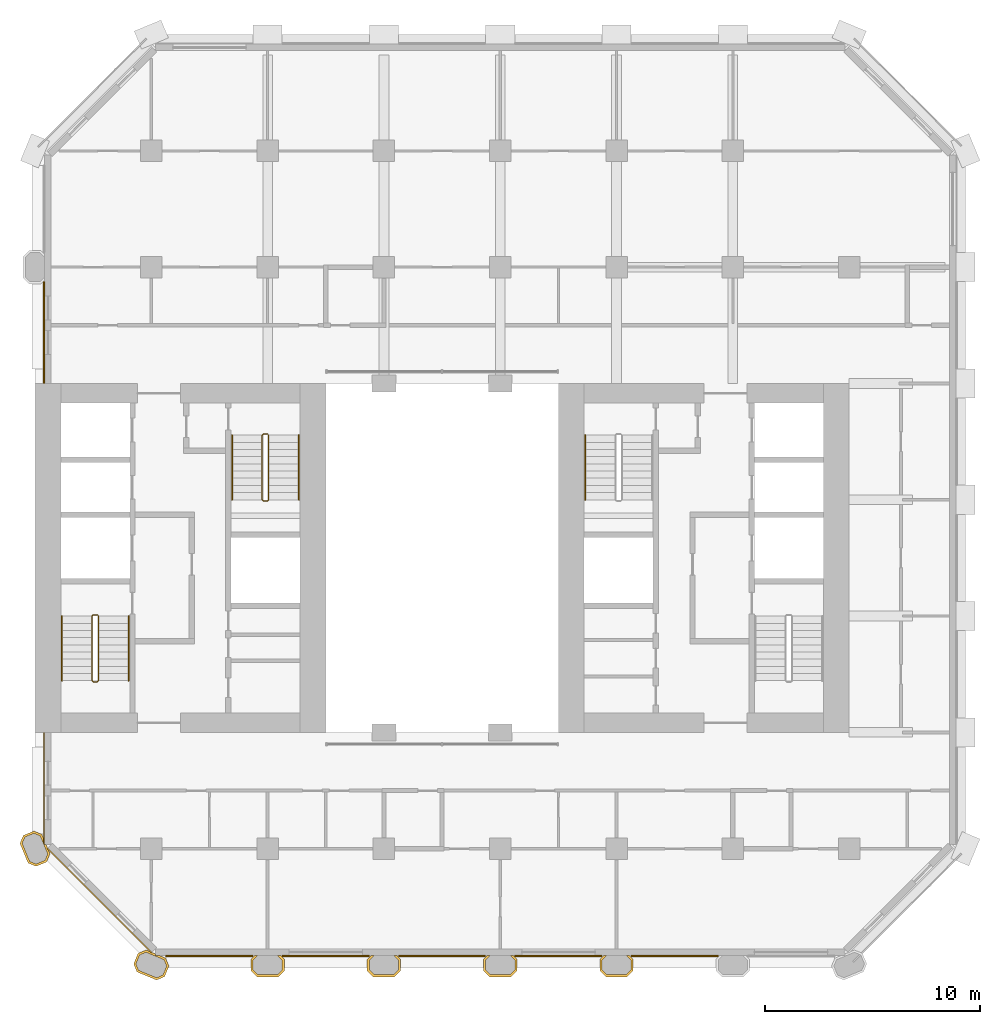
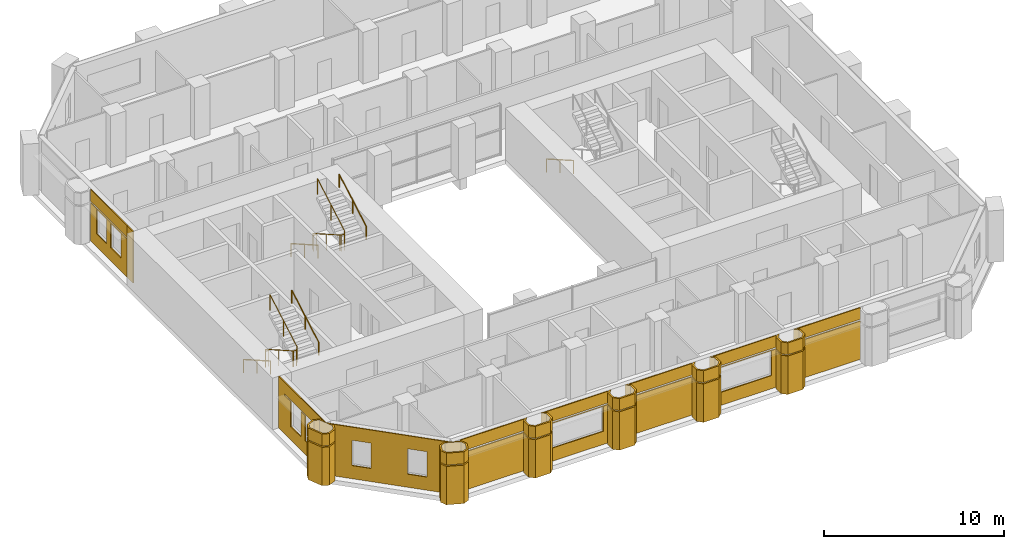
# One storey, part 9 of 10: 27 coverings, 7 railings.
"""IFC4 building model written with IfcOpenShell, lengths in metres."""

from ifc_helpers import new_model, si_unit, direction, frame, frame_2d, origin, origin_2d, place, context, subcontext, project, spatial, polyline, rectangle, circle, outline, extrude, material, layer, layer_set, type_object, element, save


model = new_model("IFC4")

# Units and contexts
model_context = context("Model", 3, precision=1e-05, world=origin(), true_north=direction((0.0, 1.0)))
body_context = subcontext(model_context, "Body", "Model", "MODEL_VIEW")
ifc_project = project(units=[si_unit("LENGTHUNIT", "METRE"), si_unit("AREAUNIT", "SQUARE_METRE"), si_unit("VOLUMEUNIT", "CUBIC_METRE"), si_unit("PLANEANGLEUNIT", "RADIAN"), si_unit("MASSUNIT", "GRAM", prefix="KILO")], contexts=[model_context])

# Site, building, storey
site_placement = place(None, origin())
site = spatial("IfcSite", under=ifc_project, at=site_placement, CompositionType="ELEMENT")
building_placement = place(site_placement, origin())
building = spatial("IfcBuilding", under=site, at=building_placement, Name="Tabaq Tower and Sports Hall", CompositionType="ELEMENT")
storey_placement = place(building_placement, frame((0.0, 0.0, 68.800048828125)))
storey = spatial("IfcBuildingStorey", under=building, at=storey_placement, Name="L15", CompositionType="ELEMENT", Elevation=68.800048828125)

# Coverings
ifc_material_1 = material(Name="Precast concrete C60/75", Category="concrete")
ifc_layer_1 = layer(ifc_material_1, 0.10009765625)
ifc_layer_set_1 = layer_set([ifc_layer_1], Name="Column cladding 100")
covering_type_1 = type_object("IfcCoveringType", Name="Column cladding 100", PredefinedType="CLADDING", material=ifc_layer_set_1)
covering_1_placement = place(storey_placement, origin())
element("IfcCovering", 1, at=covering_1_placement, inside=storey, type_object=covering_type_1, Name="Column cladding L15 PC-2C-O2", PredefinedType="CLADDING", context=body_context, shape_type="SweptSolid", body=[
    extrude(outline(polyline([(5.450439453125, 9.982421875), (5.080078125, 10.1357421875), (4.7041015625, 11.04345703125), (4.857421875, 11.413818359375), (5.349609375, 11.61767578125), (5.7197265625, 11.46435546875), (5.789794921875, 11.295654296875), (5.789794921875, 11.04296875), (5.849609375, 11.04296875), (5.849609375, 10.986083984375), (5.91796875, 10.986083984375), (5.9814453125, 10.83251953125), (5.9501953125, 10.801025390625), (6.026123046875, 10.72509765625), (6.095947265625, 10.556396484375), (5.9423828125, 10.186279296875), (5.450439453125, 9.982421875)]), holes=[polyline([(5.349609375, 11.510009765625), (4.93359375, 11.337646484375), (4.811767578125, 11.04345703125), (5.15625, 10.2119140625), (5.450439453125, 10.08984375), (5.866455078125, 10.26220703125), (5.98828125, 10.556396484375), (5.643798828125, 11.38818359375), (5.349609375, 11.510009765625)])]), origin(), (0.0, 0.0, 1.0), 2.599853515625),
])
covering_2_placement = place(storey_placement, frame((0.0, 0.0, 2.699951171875)))
element("IfcCovering", 2, at=covering_2_placement, inside=storey, type_object=covering_type_1, Name="Column cladding L15 PC-2C-O2 2", PredefinedType="CLADDING", context=body_context, shape_type="SweptSolid", body=[
    extrude(outline(polyline([(5.450439453125, 9.982421875), (5.080078125, 10.1357421875), (4.7041015625, 11.04345703125), (4.857421875, 11.413818359375), (5.349609375, 11.61767578125), (5.7197265625, 11.46435546875), (5.789794921875, 11.295654296875), (5.789794921875, 11.04296875), (5.849609375, 11.04296875), (5.849609375, 10.986083984375), (5.91796875, 10.986083984375), (5.9814453125, 10.83251953125), (5.9501953125, 10.801025390625), (6.026123046875, 10.72509765625), (6.095947265625, 10.556396484375), (5.9423828125, 10.186279296875), (5.450439453125, 9.982421875)]), holes=[polyline([(5.349609375, 11.510009765625), (4.93359375, 11.337646484375), (4.811767578125, 11.04345703125), (5.15625, 10.2119140625), (5.450439453125, 10.08984375), (5.866455078125, 10.26220703125), (5.98828125, 10.556396484375), (5.643798828125, 11.38818359375), (5.349609375, 11.510009765625)])]), origin(), (0.0, 0.0, 1.0), 0.800048828125),
])
covering_3_placement = place(storey_placement, origin())
element("IfcCovering", 3, at=covering_3_placement, inside=storey, type_object=covering_type_1, Name="Column cladding L15 PC-3B-O2", PredefinedType="CLADDING", context=body_context, shape_type="SweptSolid", body=[
    extrude(outline(polyline([(11.413818359375, 4.857421875), (11.04345703125, 4.7041015625), (10.1357421875, 5.080078125), (9.982421875, 5.450439453125), (10.186279296875, 5.9423828125), (10.556396484375, 6.095947265625), (10.72509765625, 6.026123046875), (10.801025390625, 5.9501953125), (10.83251953125, 5.9814453125), (10.986083984375, 5.91796875), (10.986083984375, 5.849609375), (11.15087890625, 5.849609375), (11.46435546875, 5.7197265625), (11.61767578125, 5.349609375), (11.413818359375, 4.857421875)]), holes=[polyline([(10.26220703125, 5.866455078125), (10.08984375, 5.450439453125), (10.2119140625, 5.15625), (11.04345703125, 4.811767578125), (11.337646484375, 4.93359375), (11.510009765625, 5.349609375), (11.38818359375, 5.643798828125), (10.556396484375, 5.98828125), (10.26220703125, 5.866455078125)])]), origin(), (0.0, 0.0, 1.0), 2.599853515625),
])
covering_4_placement = place(storey_placement, frame((0.0, 0.0, 2.699951171875)))
element("IfcCovering", 4, at=covering_4_placement, inside=storey, type_object=covering_type_1, Name="Column cladding L15 PC-3B-O2 2", PredefinedType="CLADDING", context=body_context, shape_type="SweptSolid", body=[
    extrude(outline(polyline([(11.413818359375, 4.857421875), (11.04345703125, 4.7041015625), (10.1357421875, 5.080078125), (9.982421875, 5.450439453125), (10.186279296875, 5.9423828125), (10.556396484375, 6.095947265625), (10.72509765625, 6.026123046875), (10.801025390625, 5.9501953125), (10.83251953125, 5.9814453125), (10.986083984375, 5.91796875), (10.986083984375, 5.849609375), (11.15087890625, 5.849609375), (11.46435546875, 5.7197265625), (11.61767578125, 5.349609375), (11.413818359375, 4.857421875)]), holes=[polyline([(10.26220703125, 5.866455078125), (10.08984375, 5.450439453125), (10.2119140625, 5.15625), (11.04345703125, 4.811767578125), (11.337646484375, 4.93359375), (11.510009765625, 5.349609375), (11.38818359375, 5.643798828125), (10.556396484375, 5.98828125), (10.26220703125, 5.866455078125)])]), origin(), (0.0, 0.0, 1.0), 0.800048828125),
])
covering_5_placement = place(storey_placement, origin())
element("IfcCovering", 5, at=covering_5_placement, inside=storey, type_object=covering_type_1, Name="Column cladding L15 PC-4B-O2", PredefinedType="CLADDING", context=body_context, shape_type="SweptSolid", body=[
    extrude(outline(polyline([(15.42529296875, 5.666259765625), (15.608642578125, 5.849609375), (15.749267578125, 5.849609375), (15.524658203125, 5.625244140625), (15.524658203125, 5.1748046875), (15.749755859375, 4.94970703125), (16.650146484375, 4.94970703125), (16.875244140625, 5.1748046875), (16.875244140625, 5.625244140625), (16.650634765625, 5.849609375), (16.791259765625, 5.849609375), (16.974609375, 5.666259765625), (16.974609375, 5.1337890625), (16.69140625, 4.850341796875), (15.708740234375, 4.850341796875), (15.42529296875, 5.1337890625), (15.42529296875, 5.666259765625)])), origin(), (0.0, 0.0, 1.0), 2.599853515625),
])
covering_6_placement = place(storey_placement, frame((0.0, 0.0, 2.699951171875)))
element("IfcCovering", 6, at=covering_6_placement, inside=storey, type_object=covering_type_1, Name="Column cladding L15 PC-4B-O2 2", PredefinedType="CLADDING", context=body_context, shape_type="SweptSolid", body=[
    extrude(outline(polyline([(15.42529296875, 5.666259765625), (15.608642578125, 5.849609375), (15.749267578125, 5.849609375), (15.524658203125, 5.625244140625), (15.524658203125, 5.1748046875), (15.749755859375, 4.94970703125), (16.650146484375, 4.94970703125), (16.875244140625, 5.1748046875), (16.875244140625, 5.625244140625), (16.650634765625, 5.849609375), (16.791259765625, 5.849609375), (16.974609375, 5.666259765625), (16.974609375, 5.1337890625), (16.69140625, 4.850341796875), (15.708740234375, 4.850341796875), (15.42529296875, 5.1337890625), (15.42529296875, 5.666259765625)])), origin(), (0.0, 0.0, 1.0), 0.800048828125),
])
covering_7_placement = place(storey_placement, origin())
element("IfcCovering", 7, at=covering_7_placement, inside=storey, type_object=covering_type_1, Name="Column cladding L15 PC-5B-O2", PredefinedType="CLADDING", context=body_context, shape_type="SweptSolid", body=[
    extrude(outline(polyline([(20.8251953125, 5.666259765625), (21.0087890625, 5.849609375), (21.149169921875, 5.849609375), (20.9248046875, 5.625244140625), (20.9248046875, 5.1748046875), (21.14990234375, 4.94970703125), (22.050048828125, 4.94970703125), (22.275390625, 5.1748046875), (22.275390625, 5.625244140625), (22.05078125, 5.849609375), (22.19140625, 5.849609375), (22.374755859375, 5.666259765625), (22.374755859375, 5.1337890625), (22.09130859375, 4.850341796875), (21.108642578125, 4.850341796875), (20.8251953125, 5.1337890625), (20.8251953125, 5.666259765625)])), origin(), (0.0, 0.0, 1.0), 2.599853515625),
])
covering_8_placement = place(storey_placement, frame((0.0, 0.0, 2.699951171875)))
element("IfcCovering", 8, at=covering_8_placement, inside=storey, type_object=covering_type_1, Name="Column cladding L15 PC-5B-O2 2", PredefinedType="CLADDING", context=body_context, shape_type="SweptSolid", body=[
    extrude(outline(polyline([(20.8251953125, 5.666259765625), (21.0087890625, 5.849609375), (21.149169921875, 5.849609375), (20.9248046875, 5.625244140625), (20.9248046875, 5.1748046875), (21.14990234375, 4.94970703125), (22.050048828125, 4.94970703125), (22.275390625, 5.1748046875), (22.275390625, 5.625244140625), (22.05078125, 5.849609375), (22.19140625, 5.849609375), (22.374755859375, 5.666259765625), (22.374755859375, 5.1337890625), (22.09130859375, 4.850341796875), (21.108642578125, 4.850341796875), (20.8251953125, 5.1337890625), (20.8251953125, 5.666259765625)])), origin(), (0.0, 0.0, 1.0), 0.800048828125),
])
covering_9_placement = place(storey_placement, origin())
element("IfcCovering", 9, at=covering_9_placement, inside=storey, type_object=covering_type_1, Name="Column cladding L15 PC-6B-O2", PredefinedType="CLADDING", context=body_context, shape_type="SweptSolid", body=[
    extrude(outline(polyline([(26.225341796875, 5.666259765625), (26.40869140625, 5.849609375), (26.54931640625, 5.849609375), (26.32470703125, 5.625244140625), (26.32470703125, 5.1748046875), (26.5498046875, 4.94970703125), (27.4501953125, 4.94970703125), (27.67529296875, 5.1748046875), (27.67529296875, 5.625244140625), (27.45068359375, 5.849609375), (27.59130859375, 5.849609375), (27.774658203125, 5.666259765625), (27.774658203125, 5.1337890625), (27.4912109375, 4.850341796875), (26.5087890625, 4.850341796875), (26.225341796875, 5.1337890625), (26.225341796875, 5.666259765625)])), origin(), (0.0, 0.0, 1.0), 2.599853515625),
])
covering_10_placement = place(storey_placement, frame((0.0, 0.0, 2.699951171875)))
element("IfcCovering", 10, at=covering_10_placement, inside=storey, type_object=covering_type_1, Name="Column cladding L15 PC-6B-O2 2", PredefinedType="CLADDING", context=body_context, shape_type="SweptSolid", body=[
    extrude(outline(polyline([(26.225341796875, 5.666259765625), (26.40869140625, 5.849609375), (26.54931640625, 5.849609375), (26.32470703125, 5.625244140625), (26.32470703125, 5.1748046875), (26.5498046875, 4.94970703125), (27.4501953125, 4.94970703125), (27.67529296875, 5.1748046875), (27.67529296875, 5.625244140625), (27.45068359375, 5.849609375), (27.59130859375, 5.849609375), (27.774658203125, 5.666259765625), (27.774658203125, 5.1337890625), (27.4912109375, 4.850341796875), (26.5087890625, 4.850341796875), (26.225341796875, 5.1337890625), (26.225341796875, 5.666259765625)])), origin(), (0.0, 0.0, 1.0), 0.800048828125),
])
covering_11_placement = place(storey_placement, origin())
element("IfcCovering", 11, at=covering_11_placement, inside=storey, type_object=covering_type_1, Name="Column cladding L15 PC-7B-O2", PredefinedType="CLADDING", context=body_context, shape_type="SweptSolid", body=[
    extrude(outline(polyline([(31.625244140625, 5.666259765625), (31.80859375, 5.849609375), (31.94921875, 5.849609375), (31.724609375, 5.625244140625), (31.724609375, 5.1748046875), (31.949951171875, 4.94970703125), (32.85009765625, 4.94970703125), (33.0751953125, 5.1748046875), (33.0751953125, 5.625244140625), (32.850830078125, 5.849609375), (32.9912109375, 5.849609375), (33.1748046875, 5.666259765625), (33.1748046875, 5.1337890625), (32.891357421875, 4.850341796875), (31.90869140625, 4.850341796875), (31.625244140625, 5.1337890625), (31.625244140625, 5.666259765625)])), origin(), (0.0, 0.0, 1.0), 2.599853515625),
])
covering_12_placement = place(storey_placement, frame((0.0, 0.0, 2.699951171875)))
element("IfcCovering", 12, at=covering_12_placement, inside=storey, type_object=covering_type_1, Name="Column cladding L15 PC-7B-O2 2", PredefinedType="CLADDING", context=body_context, shape_type="SweptSolid", body=[
    extrude(outline(polyline([(31.625244140625, 5.666259765625), (31.80859375, 5.849609375), (31.94921875, 5.849609375), (31.724609375, 5.625244140625), (31.724609375, 5.1748046875), (31.949951171875, 4.94970703125), (32.85009765625, 4.94970703125), (33.0751953125, 5.1748046875), (33.0751953125, 5.625244140625), (32.850830078125, 5.849609375), (32.9912109375, 5.849609375), (33.1748046875, 5.666259765625), (33.1748046875, 5.1337890625), (32.891357421875, 4.850341796875), (31.90869140625, 4.850341796875), (31.625244140625, 5.1337890625), (31.625244140625, 5.666259765625)])), origin(), (0.0, 0.0, 1.0), 0.800048828125),
])

# Railings
ifc_material_2 = material(Name="Stainless steel", Category="steel")
railing_type_1 = type_object("IfcRailingType", Name="Stair guard", PredefinedType="GUARDRAIL", material=ifc_material_2)
railing_1_placement = place(storey_placement, frame((8.300048828125, 21.64990234375, 0.0)))
element("IfcRailing", 13, at=railing_1_placement, inside=storey, type_object=railing_type_1, Name="L15 ST1 stair guard 1", PredefinedType="GUARDRAIL", context=body_context, shape_type="SweptSolid", body=[
    extrude(circle(Radius=0.02392578125, at=origin_2d()), frame((0.0, 0.0, 1.076171875), z_axis=(-1.0, 0.0, 0.0), x_axis=(0.0, -1.0, 0.0)), (0.0, 0.0, 1.0), 0.199951171875),
    extrude(circle(Radius=0.02392578125, at=origin_2d()), frame((-0.199951171875, 0.0, 1.076171875), z_axis=(-0.246983470365, -0.245778672949, 0.937332389972), x_axis=(0.705375805398, -0.708833529934, 0.0)), (0.0, 0.0, 1.0), 0.20263671875),
    extrude(circle(Radius=0.02392578125, at=origin_2d()), frame((-0.25, -0.0498046875, 1.26611328125), z_axis=(0.0, -0.868782136927, 0.495194505781), x_axis=(1.0, 0.0, 0.0)), (0.0, 0.0, 1.0), 3.453125),
    extrude(circle(Radius=0.02392578125, at=origin_2d()), frame((-0.25, -3.0498046875, 2.97607421875), z_axis=(0.707106781187, -0.707106781187, 0.0), x_axis=(0.707106781187, 0.707106781187, 0.0)), (0.0, 0.0, 1.0), 0.07080078125),
    extrude(circle(Radius=0.02392578125, at=origin_2d()), frame((-0.199951171875, -3.099853515625, 2.97607421875), z_axis=(1.0, 0.0, 0.0), x_axis=(0.0, 1.0, 0.0)), (0.0, 0.0, 1.0), 0.199951171875),
    extrude(circle(Radius=0.02392578125, at=origin_2d()), frame((0.0, -3.099853515625, 2.97607421875), z_axis=(0.246910188598, 0.246910188598, 0.937054276727), x_axis=(-0.707106781187, 0.707106781187, 0.0)), (0.0, 0.0, 1.0), 0.20263671875),
    extrude(circle(Radius=0.02392578125, at=origin_2d()), frame((0.050048828125, -3.0498046875, 3.166015625), z_axis=(0.0, 0.868751719353, 0.495247867356), x_axis=(-1.0, 0.0, 0.0)), (0.0, 0.0, 1.0), 3.453125),
    extrude(circle(Radius=0.02099609375, at=origin_2d()), origin(), (0.0, 0.0, 1.0), 1.052001953125),
    extrude(circle(Radius=0.02099609375, at=origin_2d()), frame((-0.199951171875, 0.0, 0.0)), (0.0, 0.0, 1.0), 1.052001953125),
    extrude(circle(Radius=0.02099609375, at=origin_2d()), frame((-0.25, -0.0498046875, 0.18994140625)), (0.0, 0.0, 1.0), 1.052001953125),
    extrude(circle(Radius=0.02099609375, at=origin_2d()), frame((-0.25, -1.5498046875, 1.044921875)), (0.0, 0.0, 1.0), 1.052001953125),
    extrude(circle(Radius=0.02099609375, at=origin_2d()), frame((-0.25, -3.0498046875, 1.89990234375)), (0.0, 0.0, 1.0), 1.052001953125),
    extrude(circle(Radius=0.02099609375, at=origin_2d()), frame((-0.199951171875, -3.099853515625, 1.89990234375)), (0.0, 0.0, 1.0), 1.052001953125),
    extrude(circle(Radius=0.02099609375, at=origin_2d()), frame((0.0, -3.099853515625, 1.89990234375)), (0.0, 0.0, 1.0), 1.052001953125),
    extrude(circle(Radius=0.02099609375, at=origin_2d()), frame((0.050048828125, -3.0498046875, 2.08984375)), (0.0, 0.0, 1.0), 1.052001953125),
    extrude(circle(Radius=0.02099609375, at=origin_2d()), frame((0.050048828125, -1.5498046875, 2.94482421875)), (0.0, 0.0, 1.0), 1.052001953125),
    extrude(circle(Radius=0.02099609375, at=origin_2d()), frame((0.050048828125, -0.0498046875, 3.800048828125)), (0.0, 0.0, 1.0), 1.052001953125),
])
railing_2_placement = place(storey_placement, frame((16.199951171875, 30.050048828125, 0.0)))
element("IfcRailing", 14, at=railing_2_placement, inside=storey, type_object=railing_type_1, Name="L15 ST2 stair guard 1", PredefinedType="GUARDRAIL", context=body_context, shape_type="SweptSolid", body=[
    extrude(circle(Radius=0.02392578125, at=origin_2d()), frame((0.0, 0.0, 1.076171875), z_axis=(-1.0, 0.0, 0.0), x_axis=(0.0, -1.0, 0.0)), (0.0, 0.0, 1.0), 0.199951171875),
    extrude(circle(Radius=0.02392578125, at=origin_2d()), frame((-0.199951171875, 0.0, 1.076171875), z_axis=(-0.246910188598, -0.246910188598, 0.937054276727), x_axis=(0.707106781187, -0.707106781187, 0.0)), (0.0, 0.0, 1.0), 0.20263671875),
    extrude(circle(Radius=0.02392578125, at=origin_2d()), frame((-0.25, -0.050048828125, 1.26611328125), z_axis=(0.0, -0.868782136927, 0.495194505781), x_axis=(1.0, 0.0, 0.0)), (0.0, 0.0, 1.0), 3.453125),
    extrude(circle(Radius=0.02392578125, at=origin_2d()), frame((-0.25, -3.050048828125, 2.97607421875), z_axis=(0.707106781187, -0.707106781187, 0.0), x_axis=(0.707106781187, 0.707106781187, 0.0)), (0.0, 0.0, 1.0), 0.07080078125),
    extrude(circle(Radius=0.02392578125, at=origin_2d()), frame((-0.199951171875, -3.10009765625, 2.97607421875), z_axis=(1.0, 0.0, 0.0), x_axis=(0.0, 1.0, 0.0)), (0.0, 0.0, 1.0), 0.199951171875),
    extrude(circle(Radius=0.02392578125, at=origin_2d()), frame((0.0, -3.10009765625, 2.97607421875), z_axis=(0.246910188598, 0.246910188598, 0.937054276727), x_axis=(-0.707106781187, 0.707106781187, 0.0)), (0.0, 0.0, 1.0), 0.20263671875),
    extrude(circle(Radius=0.02392578125, at=origin_2d()), frame((0.050048828125, -3.050048828125, 3.166015625), z_axis=(0.0, 0.868751719353, 0.495247867356), x_axis=(-1.0, 0.0, 0.0)), (0.0, 0.0, 1.0), 3.453125),
    extrude(circle(Radius=0.02099609375, at=origin_2d()), origin(), (0.0, 0.0, 1.0), 1.052001953125),
    extrude(circle(Radius=0.02099609375, at=origin_2d()), frame((-0.199951171875, 0.0, 0.0)), (0.0, 0.0, 1.0), 1.052001953125),
    extrude(circle(Radius=0.02099609375, at=origin_2d()), frame((-0.25, -0.050048828125, 0.18994140625)), (0.0, 0.0, 1.0), 1.052001953125),
    extrude(circle(Radius=0.02099609375, at=origin_2d()), frame((-0.25, -1.550048828125, 1.044921875)), (0.0, 0.0, 1.0), 1.052001953125),
    extrude(circle(Radius=0.02099609375, at=origin_2d()), frame((-0.25, -3.050048828125, 1.89990234375)), (0.0, 0.0, 1.0), 1.052001953125),
    extrude(circle(Radius=0.02099609375, at=origin_2d()), frame((-0.199951171875, -3.10009765625, 1.89990234375)), (0.0, 0.0, 1.0), 1.052001953125),
    extrude(circle(Radius=0.02099609375, at=origin_2d()), frame((0.0, -3.10009765625, 1.89990234375)), (0.0, 0.0, 1.0), 1.052001953125),
    extrude(circle(Radius=0.02099609375, at=origin_2d()), frame((0.050048828125, -3.050048828125, 2.08984375)), (0.0, 0.0, 1.0), 1.052001953125),
    extrude(circle(Radius=0.02099609375, at=origin_2d()), frame((0.050048828125, -1.550048828125, 2.94482421875)), (0.0, 0.0, 1.0), 1.052001953125),
    extrude(circle(Radius=0.02099609375, at=origin_2d()), frame((0.050048828125, -0.050048828125, 3.800048828125)), (0.0, 0.0, 1.0), 1.052001953125),
])
ifc_material_3 = material(Name="Stainless steel", Category="steel")
railing_type_2 = type_object("IfcRailingType", Name="Stair handrail", PredefinedType="HANDRAIL", material=ifc_material_3)
railing_3_placement = place(storey_placement, frame((6.64990234375, 21.60009765625, 0.18994140625)))
element("IfcRailing", 15, at=railing_3_placement, inside=storey, type_object=railing_type_2, Name="L15 ST1 stair handrail 1", PredefinedType="HANDRAIL", context=body_context, shape_type="SweptSolid", body=[
    extrude(circle(Radius=0.02392578125, at=origin_2d()), frame((0.0, 0.0, 0.8759765625), z_axis=(0.0, -0.868782136927, 0.495194505781), x_axis=(1.0, 0.0, 0.0)), (0.0, 0.0, 1.0), 3.453125),
    extrude(circle(Radius=0.02099609375, at=origin_2d()), origin(), (0.0, 0.0, 1.0), 0.851806640625),
    extrude(circle(Radius=0.02099609375, at=origin_2d()), frame((0.0, -1.5, 0.85498046875)), (0.0, 0.0, 1.0), 0.851806640625),
    extrude(circle(Radius=0.02099609375, at=origin_2d()), frame((0.0, -3.0, 1.7099609375)), (0.0, 0.0, 1.0), 0.851806640625),
])
railing_4_placement = place(storey_placement, frame((9.75, 18.60009765625, 2.08984375)))
element("IfcRailing", 16, at=railing_4_placement, inside=storey, type_object=railing_type_2, Name="L15 ST1 stair handrail 2", PredefinedType="HANDRAIL", context=body_context, shape_type="SweptSolid", body=[
    extrude(circle(Radius=0.02392578125, at=origin_2d()), frame((0.0, 0.0, 0.8759765625), z_axis=(0.0, 0.868751719353, 0.495247867356), x_axis=(-1.0, 0.0, 0.0)), (0.0, 0.0, 1.0), 3.453125),
    extrude(circle(Radius=0.02099609375, at=origin_2d()), origin(), (0.0, 0.0, 1.0), 0.851806640625),
    extrude(circle(Radius=0.02099609375, at=origin_2d()), frame((0.0, 1.5, 0.85498046875)), (0.0, 0.0, 1.0), 0.851806640625),
    extrude(circle(Radius=0.02099609375, at=origin_2d()), frame((0.0, 3.0, 1.710205078125)), (0.0, 0.0, 1.0), 0.851806640625),
])
railing_5_placement = place(storey_placement, frame((14.550048828125, 30.0, 0.18994140625)))
element("IfcRailing", 17, at=railing_5_placement, inside=storey, type_object=railing_type_2, Name="L15 ST2 stair handrail 1", PredefinedType="HANDRAIL", context=body_context, shape_type="SweptSolid", body=[
    extrude(circle(Radius=0.02392578125, at=origin_2d()), frame((0.0, 0.0, 0.8759765625), z_axis=(0.0, -0.868782136927, 0.495194505781), x_axis=(1.0, 0.0, 0.0)), (0.0, 0.0, 1.0), 3.453125),
    extrude(circle(Radius=0.02099609375, at=origin_2d()), origin(), (0.0, 0.0, 1.0), 0.851806640625),
    extrude(circle(Radius=0.02099609375, at=origin_2d()), frame((0.0, -1.5, 0.85498046875)), (0.0, 0.0, 1.0), 0.851806640625),
    extrude(circle(Radius=0.02099609375, at=origin_2d()), frame((0.0, -3.0, 1.7099609375)), (0.0, 0.0, 1.0), 0.851806640625),
])
railing_6_placement = place(storey_placement, frame((17.64990234375, 27.0, 2.08984375)))
element("IfcRailing", 18, at=railing_6_placement, inside=storey, type_object=railing_type_2, Name="L15 ST2 stair handrail 2", PredefinedType="HANDRAIL", context=body_context, shape_type="SweptSolid", body=[
    extrude(circle(Radius=0.02392578125, at=origin_2d()), frame((0.0, 0.0, 0.8759765625), z_axis=(0.0, 0.868751719353, 0.495247867356), x_axis=(-1.0, 0.0, 0.0)), (0.0, 0.0, 1.0), 3.453125),
    extrude(circle(Radius=0.02099609375, at=origin_2d()), origin(), (0.0, 0.0, 1.0), 0.851806640625),
    extrude(circle(Radius=0.02099609375, at=origin_2d()), frame((0.0, 1.5, 0.85498046875)), (0.0, 0.0, 1.0), 0.851806640625),
    extrude(circle(Radius=0.02099609375, at=origin_2d()), frame((0.0, 3.0, 1.710205078125)), (0.0, 0.0, 1.0), 0.851806640625),
])
railing_7_placement = place(storey_placement, frame((30.949951171875, 30.0, 0.18994140625)))
element("IfcRailing", 19, at=railing_7_placement, inside=storey, type_object=railing_type_2, Name="L15 ST4 stair handrail 1", PredefinedType="HANDRAIL", context=body_context, shape_type="SweptSolid", body=[
    extrude(circle(Radius=0.02392578125, at=origin_2d()), frame((0.0, 0.0, 0.8759765625), z_axis=(0.0, -0.868782136927, 0.495194505781), x_axis=(1.0, 0.0, 0.0)), (0.0, 0.0, 1.0), 3.453125),
    extrude(circle(Radius=0.02099609375, at=origin_2d()), origin(), (0.0, 0.0, 1.0), 0.851806640625),
    extrude(circle(Radius=0.02099609375, at=origin_2d()), frame((0.0, -1.5, 0.85498046875)), (0.0, 0.0, 1.0), 0.851806640625),
    extrude(circle(Radius=0.02099609375, at=origin_2d()), frame((0.0, -3.0, 1.7099609375)), (0.0, 0.0, 1.0), 0.851806640625),
])

# Coverings
ifc_material_4 = material(Name="Precast concrete C60/75", Category="concrete")
ifc_layer_2 = layer(ifc_material_4, 0.06005859375)
ifc_layer_set_2 = layer_set([ifc_layer_2], Name="White precast cladding panel 60 C60/75")
covering_type_2 = type_object("IfcCoveringType", Name="White precast cladding panel 60 C60/75", PredefinedType="CLADDING", material=ifc_layer_set_2)
covering_13_placement = place(storey_placement, frame((11.465087890625, 5.820068359375, 0.0), z_axis=(0.0, 0.0, 1.0), x_axis=(1.0, 0.0, 0.0)))
element("IfcCovering", 20, at=covering_13_placement, inside=storey, type_object=covering_type_2, Name="White precast cladding panel L15 wall00", PredefinedType="CLADDING", context=body_context, shape_type="SweptSolid", body=[
    extrude(rectangle(XDim=4.0498046875, YDim=0.06005859375, at=frame_2d((2.02490234375, 0.0))), origin(), (0.0, 0.0, 1.0), 2.58984375),
])
covering_14_placement = place(storey_placement, frame((11.465087890625, 5.820068359375, 2.7099609375), z_axis=(0.0, 0.0, 1.0), x_axis=(1.0, 0.0, 0.0)))
element("IfcCovering", 21, at=covering_14_placement, inside=storey, type_object=covering_type_2, Name="White precast cladding panel L15 wall00 2", PredefinedType="CLADDING", context=body_context, shape_type="SweptSolid", body=[
    extrude(rectangle(XDim=4.0498046875, YDim=0.06005859375, at=frame_2d((2.02490234375, 0.0))), origin(), (0.0, 0.0, 1.0), 0.7900390625),
])
covering_15_placement = place(storey_placement, frame((16.885009765625, 5.820068359375, 0.0), z_axis=(0.0, 0.0, 1.0), x_axis=(1.0, 0.0, 0.0)))
element("IfcCovering", 22, at=covering_15_placement, inside=storey, type_object=covering_type_2, Name="White precast cladding panel L15 wall00 3", PredefinedType="CLADDING", context=body_context, shape_type="SweptSolid", body=[
    extrude(outline(polyline([(0.0, 0.0), (4.030029296875, 0.0), (4.030029296875, 2.58984375), (0.0, 2.58984375), (0.0, 0.0)]), holes=[polyline([(3.72509765625, 0.889892578125), (0.304931640625, 0.889892578125), (0.304931640625, 2.56005859375), (3.72509765625, 2.56005859375), (3.72509765625, 0.889892578125)])]), frame((0.0, 0.030029296875, 0.0), z_axis=(0.0, -1.0, 0.0), x_axis=(1.0, 0.0, 0.0)), (0.0, 0.0, 1.0), 0.06005859375),
])
covering_16_placement = place(storey_placement, frame((16.885009765625, 5.820068359375, 2.7099609375), z_axis=(0.0, 0.0, 1.0), x_axis=(1.0, 0.0, 0.0)))
element("IfcCovering", 23, at=covering_16_placement, inside=storey, type_object=covering_type_2, Name="White precast cladding panel L15 wall00 4", PredefinedType="CLADDING", context=body_context, shape_type="SweptSolid", body=[
    extrude(rectangle(XDim=4.030029296875, YDim=0.06005859375, at=frame_2d((2.01513671875, 0.0))), origin(), (0.0, 0.0, 1.0), 0.7900390625),
])
covering_17_placement = place(storey_placement, frame((22.284912109375, 5.820068359375, 0.0), z_axis=(0.0, 0.0, 1.0), x_axis=(1.0, 0.0, 0.0)))
element("IfcCovering", 24, at=covering_17_placement, inside=storey, type_object=covering_type_2, Name="White precast cladding panel L15 wall00 5", PredefinedType="CLADDING", context=body_context, shape_type="SweptSolid", body=[
    extrude(rectangle(XDim=4.030029296875, YDim=0.06005859375, at=frame_2d((2.01513671875, 0.0))), origin(), (0.0, 0.0, 1.0), 2.58984375),
])
covering_18_placement = place(storey_placement, frame((22.284912109375, 5.820068359375, 2.7099609375), z_axis=(0.0, 0.0, 1.0), x_axis=(1.0, 0.0, 0.0)))
element("IfcCovering", 25, at=covering_18_placement, inside=storey, type_object=covering_type_2, Name="White precast cladding panel L15 wall00 6", PredefinedType="CLADDING", context=body_context, shape_type="SweptSolid", body=[
    extrude(rectangle(XDim=4.030029296875, YDim=0.06005859375, at=frame_2d((2.01513671875, 0.0))), origin(), (0.0, 0.0, 1.0), 0.7900390625),
])
covering_19_placement = place(storey_placement, frame((27.68505859375, 5.820068359375, 0.0), z_axis=(0.0, 0.0, 1.0), x_axis=(1.0, 0.0, 0.0)))
element("IfcCovering", 26, at=covering_19_placement, inside=storey, type_object=covering_type_2, Name="White precast cladding panel L15 wall00 7", PredefinedType="CLADDING", context=body_context, shape_type="SweptSolid", body=[
    extrude(outline(polyline([(0.0, 0.0), (4.030029296875, 0.0), (4.030029296875, 2.58984375), (0.0, 2.58984375), (0.0, 0.0)]), holes=[polyline([(3.72509765625, 0.889892578125), (0.304931640625, 0.889892578125), (0.304931640625, 2.56005859375), (3.72509765625, 2.56005859375), (3.72509765625, 0.889892578125)])]), frame((0.0, 0.030029296875, 0.0), z_axis=(0.0, -1.0, 0.0), x_axis=(1.0, 0.0, 0.0)), (0.0, 0.0, 1.0), 0.06005859375),
])
covering_20_placement = place(storey_placement, frame((27.68505859375, 5.820068359375, 2.7099609375), z_axis=(0.0, 0.0, 1.0), x_axis=(1.0, 0.0, 0.0)))
element("IfcCovering", 27, at=covering_20_placement, inside=storey, type_object=covering_type_2, Name="White precast cladding panel L15 wall00 8", PredefinedType="CLADDING", context=body_context, shape_type="SweptSolid", body=[
    extrude(rectangle(XDim=4.030029296875, YDim=0.06005859375, at=frame_2d((2.01513671875, 0.0))), origin(), (0.0, 0.0, 1.0), 0.7900390625),
])
covering_21_placement = place(storey_placement, frame((33.0849609375, 5.820068359375, 0.0), z_axis=(0.0, 0.0, 1.0), x_axis=(1.0, 0.0, 0.0)))
element("IfcCovering", 28, at=covering_21_placement, inside=storey, type_object=covering_type_2, Name="White precast cladding panel L15 wall00 9", PredefinedType="CLADDING", context=body_context, shape_type="SweptSolid", body=[
    extrude(rectangle(XDim=4.030029296875, YDim=0.06005859375, at=frame_2d((2.01513671875, 0.0))), origin(), (0.0, 0.0, 1.0), 2.58984375),
])
covering_22_placement = place(storey_placement, frame((33.0849609375, 5.820068359375, 2.7099609375), z_axis=(0.0, 0.0, 1.0), x_axis=(1.0, 0.0, 0.0)))
element("IfcCovering", 29, at=covering_22_placement, inside=storey, type_object=covering_type_2, Name="White precast cladding panel L15 wall00 10", PredefinedType="CLADDING", context=body_context, shape_type="SweptSolid", body=[
    extrude(rectangle(XDim=4.030029296875, YDim=0.06005859375, at=frame_2d((2.01513671875, 0.0))), origin(), (0.0, 0.0, 1.0), 0.7900390625),
])
covering_23_placement = place(storey_placement, frame((5.820068359375, 37.114990234375, 0.0), z_axis=(0.0, 0.0, 1.0), x_axis=(0.0, -1.0, 0.0)))
element("IfcCovering", 30, at=covering_23_placement, inside=storey, type_object=covering_type_2, Name="White precast cladding panel L15 wall06 3", PredefinedType="CLADDING", context=body_context, shape_type="SweptSolid", body=[
    extrude(outline(polyline([(0.0, 0.0), (4.050048828125, 0.0), (4.050048828125, 2.58984375), (0.0, 2.58984375), (0.0, 0.0)]), holes=[polyline([(0.655029296875, 0.889892578125), (0.655029296875, 2.56005859375), (1.77490234375, 2.56005859375), (1.77490234375, 0.889892578125), (0.655029296875, 0.889892578125)]), polyline([(2.2548828125, 0.889892578125), (2.2548828125, 2.56005859375), (3.375, 2.56005859375), (3.375, 0.889892578125), (2.2548828125, 0.889892578125)])]), frame((0.0, 0.030029296875, 0.0), z_axis=(0.0, -1.0, 0.0), x_axis=(1.0, 0.0, 0.0)), (0.0, 0.0, 1.0), 0.06005859375),
])
covering_24_placement = place(storey_placement, frame((5.820068359375, 37.114990234375, 2.7099609375), z_axis=(0.0, 0.0, 1.0), x_axis=(0.0, -1.0, 0.0)))
element("IfcCovering", 31, at=covering_24_placement, inside=storey, type_object=covering_type_2, Name="White precast cladding panel L15 wall06 4", PredefinedType="CLADDING", context=body_context, shape_type="SweptSolid", body=[
    extrude(rectangle(XDim=4.050048828125, YDim=0.06005859375, at=frame_2d((2.02490234375, 0.0))), origin(), (0.0, 0.0, 1.0), 0.7900390625),
])
covering_25_placement = place(storey_placement, frame((5.820068359375, 33.06494140625, 0.0), z_axis=(0.0, 0.0, 1.0), x_axis=(0.0, -1.0, 0.0)))
element("IfcCovering", 32, at=covering_25_placement, inside=storey, type_object=covering_type_2, Name="White precast cladding panel L15 wall06 5", PredefinedType="CLADDING", context=body_context, shape_type="SweptSolid", body=[
    extrude(rectangle(XDim=0.6650390625, YDim=0.06005859375, at=frame_2d((0.33251953125, 0.0))), origin(), (0.0, 0.0, 1.0), 3.5),
])
covering_26_placement = place(storey_placement, frame((5.820068359375, 16.199951171875, 0.0), z_axis=(0.0, 0.0, 1.0), x_axis=(0.0, -1.0, 0.0)))
element("IfcCovering", 33, at=covering_26_placement, inside=storey, type_object=covering_type_2, Name="White precast cladding panel L15 wall06-1", PredefinedType="CLADDING", context=body_context, shape_type="SweptSolid", body=[
    extrude(outline(polyline([(0.0, 0.0), (5.15673828125, 0.0), (5.15673828125, 3.5), (0.0, 3.5), (0.0, 0.0)]), holes=[polyline([(1.340087890625, 2.58984375), (0.6650390625, 2.58984375), (0.6650390625, 2.7099609375), (4.735107421875, 2.7099609375), (4.735107421875, 2.58984375), (4.06005859375, 2.58984375), (4.06005859375, 0.889892578125), (2.93994140625, 0.889892578125), (2.93994140625, 2.58984375), (2.4599609375, 2.58984375), (2.4599609375, 0.889892578125), (1.340087890625, 0.889892578125), (1.340087890625, 2.58984375)])]), frame((0.0, 0.030029296875, 0.0), z_axis=(0.0, -1.0, 0.0), x_axis=(1.0, 0.0, 0.0)), (0.0, 0.0, 1.0), 0.06005859375),
])
covering_27_placement = place(storey_placement, frame((5.9716796875, 10.822265625, 0.0), z_axis=(0.0, 0.0, 1.0), x_axis=(0.707106781187, -0.707106781187, 0.0)))
element("IfcCovering", 34, at=covering_27_placement, inside=storey, type_object=covering_type_2, Name="White precast cladding panel L15 wall07", PredefinedType="CLADDING", context=body_context, shape_type="SweptSolid", body=[
    extrude(outline(polyline([(0.0, 0.0), (6.85986328125, 0.0), (6.85986328125, 3.5), (0.0, 3.5), (0.0, 0.0)]), holes=[polyline([(1.269775390625, 2.60986328125), (2.389892578125, 2.60986328125), (2.389892578125, 0.889892578125), (1.269775390625, 0.889892578125), (1.269775390625, 2.60986328125)]), polyline([(4.4697265625, 2.60986328125), (5.58984375, 2.60986328125), (5.58984375, 0.889892578125), (4.4697265625, 0.889892578125), (4.4697265625, 2.60986328125)])]), frame((0.0, 0.030029296875, 0.0), z_axis=(0.0, -1.0, 0.0), x_axis=(1.0, 0.0, 0.0)), (0.0, 0.0, 1.0), 0.06005859375),
])

save(model, "model.ifc")
